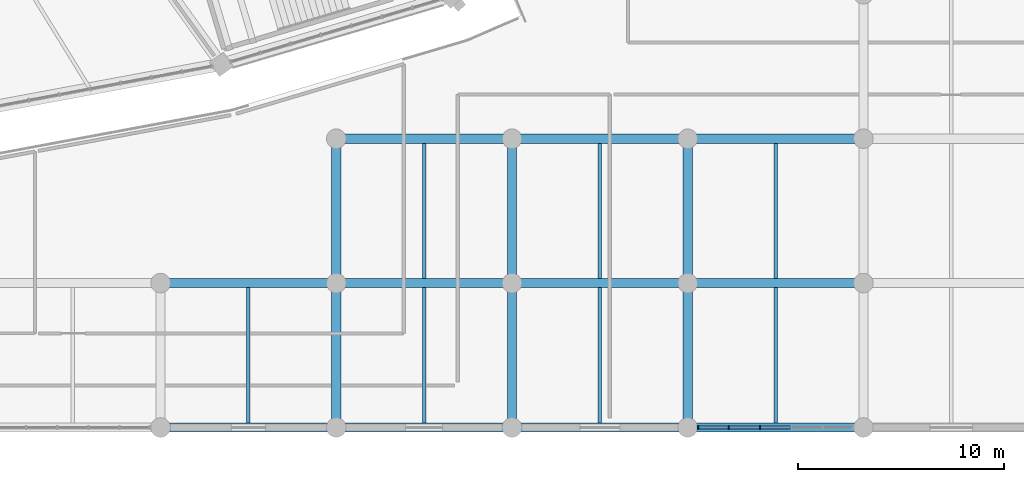
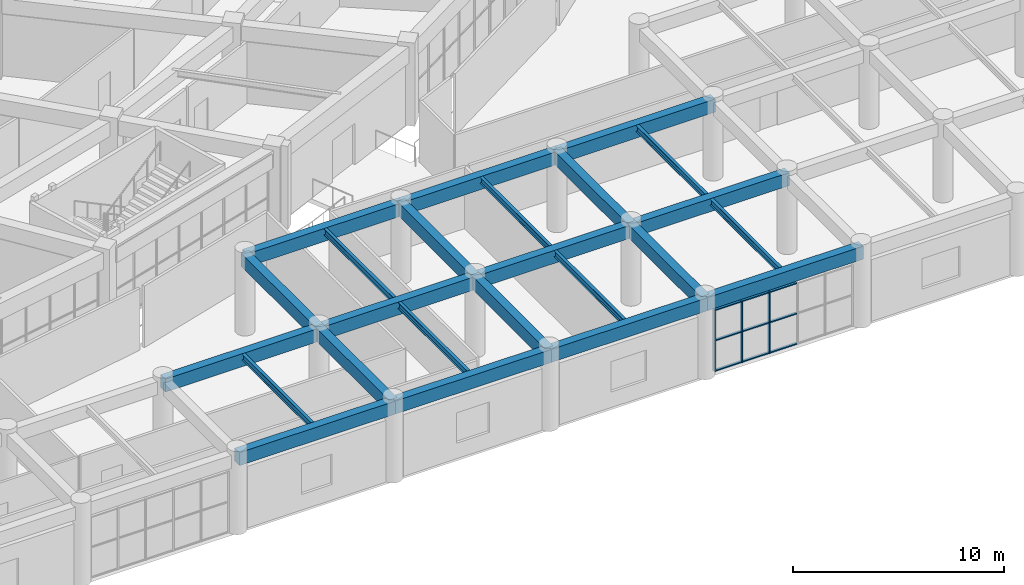
# One storey, part 37 of 152: 24 beams, 12 members, 1 element without a shape of its own.
"""IFC4 building model written with IfcOpenShell, lengths in metres."""

from ifc_helpers import new_model, si_unit, direction, frame, origin, origin_2d, place, context, subcontext, project, spatial, rectangle, i_section, extrude, material, layer, layer_set, material_profile, profile_set, type_object, element, aggregate, save


model = new_model("IFC4")

# Units and contexts
model_context = context("Model", 3, precision=1e-05, world=origin(), true_north=direction((0.0, 1.0)))
body_context = subcontext(model_context, "Body", "Model", "MODEL_VIEW")
ifc_project = project(units=[si_unit("LENGTHUNIT", "METRE"), si_unit("AREAUNIT", "SQUARE_METRE"), si_unit("VOLUMEUNIT", "CUBIC_METRE"), si_unit("PLANEANGLEUNIT", "RADIAN"), si_unit("MASSUNIT", "GRAM", prefix="KILO")], contexts=[model_context])

# Site, building, storey
site_placement = place(None, origin())
site = spatial("IfcSite", under=ifc_project, at=site_placement, CompositionType="ELEMENT")
building_placement = place(site_placement, origin())
building = spatial("IfcBuilding", under=site, at=building_placement, Name="Mphavela Belvedere Stadium", CompositionType="ELEMENT")
storey_placement = place(building_placement, frame((0.0, 0.0, 5.39990234375)))
storey = spatial("IfcBuildingStorey", under=building, at=storey_placement, Name="L01", CompositionType="ELEMENT", Elevation=5.39990234375)

# Beams
ifc_material_1 = material(Name="Steel S355", Category="steel")
ifc_material_profile_1 = material_profile(ifc_material_1, i_section(OverallWidth=0.169921875, OverallDepth=0.360107421875, WebThickness=0.008056640625, FlangeThickness=0.0126953125, at=origin_2d()), Name="IPE 360")
ifc_profile_set_1 = profile_set([ifc_material_profile_1], Name="Steel S355")
beam_type_1 = type_object("IfcBeamType", Name="BM-JOIST-IPE360", PredefinedType="JOIST", material=ifc_profile_set_1)
for number, where, z_axis, x_axis, name in (
    (1, (166.111083984375, 0.22509765625, 4.360107421875), (0.0, 1.0, 0.0), (-1.0, 0.0, 0.0), "South Axial Triumphal Peristyle Portico secondary joist L01 20-1"),
    (2, (174.62939453125, 0.22509765625, 4.360107421875), (0.0, 1.0, 0.0), (-1.0, 0.0, 0.0), "South Axial Triumphal Peristyle Portico secondary joist L01 21-1"),
    (3, (174.62939453125, 7.22509765625, 4.360107421875), (0.0, 1.0, 0.0), (-1.0, 0.0, 0.0), "South Axial Triumphal Peristyle Portico secondary joist L01 21-2"),
    (4, (183.14794921875, 0.22509765625, 4.360107421875), (0.0, 1.0, 0.0), (-1.0, 0.0, 0.0), "South Axial Triumphal Peristyle Portico secondary joist L01 22-1"),
    (5, (183.14794921875, 7.22509765625, 4.360107421875), (0.0, 1.0, 0.0), (-1.0, 0.0, 0.0), "South Axial Triumphal Peristyle Portico secondary joist L01 22-2"),
    (6, (191.66650390625, 0.22509765625, 4.360107421875), (0.0, 1.0, 0.0), (-1.0, 0.0, 0.0), "South Axial Triumphal Peristyle Portico secondary joist L01 23-1"),
    (7, (191.66650390625, 7.22509765625, 4.360107421875), (0.0, 1.0, 0.0), (-1.0, 0.0, 0.0), "South Axial Triumphal Peristyle Portico secondary joist L01 23-2"),
):
    element("IfcBeam", number, at=place(storey_placement, frame(where, z_axis=z_axis, x_axis=x_axis)), inside=storey, type_object=beam_type_1, Name=name, PredefinedType="JOIST", context=body_context, shape_type="SweptSolid", body=[
        extrude(i_section(OverallWidth=0.169921875, OverallDepth=0.360107421875, WebThickness=0.008056640625, FlangeThickness=0.0126953125, at=origin_2d()), origin(), (0.0, 0.0, 1.0), 6.5498046875),
    ])
ifc_material_2 = material(Name="Concrete C40/50", Category="concrete")
ifc_material_profile_2 = material_profile(ifc_material_2, rectangle(XDim=0.449951171875, YDim=0.75, at=origin_2d()), Name="RC 450x750")
ifc_profile_set_2 = profile_set([ifc_material_profile_2], Name="Concrete C40/50")
beam_type_2 = type_object("IfcBeamType", Name="BM-RC450x750", PredefinedType="BEAM", material=ifc_profile_set_2)
for number, where, z_axis, x_axis, name in (
    (8, (161.85205078125, 0.0, 4.1650390625), (1.0, 0.0, 0.0), (0.0, 1.0, 0.0), "South Axial Triumphal Peristyle Portico entablature beam X L01 20-1"),
    (9, (161.85205078125, 7.0, 4.1650390625), (1.0, 0.0, 0.0), (0.0, 1.0, 0.0), "South Axial Triumphal Peristyle Portico entablature beam X L01 20-2"),
):
    element("IfcBeam", number, at=place(storey_placement, frame(where, z_axis=z_axis, x_axis=x_axis)), inside=storey, type_object=beam_type_2, Name=name, PredefinedType="BEAM", context=body_context, shape_type="SweptSolid", body=[
        extrude(rectangle(XDim=0.449951171875, YDim=0.75, at=origin_2d()), origin(), (0.0, 0.0, 1.0), 8.51806640625),
    ])
beam_1_placement = place(storey_placement, frame((170.3701171875, 0.0, 4.1650390625), z_axis=(1.0, 0.0, 0.0), x_axis=(0.0, 1.0, 0.0)))
element("IfcBeam", 10, at=beam_1_placement, inside=storey, type_object=beam_type_2, Name="South Axial Triumphal Peristyle Portico entablature beam X L01 21-1", PredefinedType="BEAM", context=body_context, shape_type="SweptSolid", body=[
    extrude(rectangle(XDim=0.449951171875, YDim=0.75, at=origin_2d()), origin(), (0.0, 0.0, 1.0), 8.518798828125),
])
beam_2_placement = place(storey_placement, frame((170.3701171875, 0.0, 4.1650390625), z_axis=(0.0, 1.0, 0.0), x_axis=(-1.0, 0.0, 0.0)))
element("IfcBeam", 11, at=beam_2_placement, inside=storey, type_object=beam_type_2, Name="South Axial Triumphal Peristyle Portico entablature beam Y L01 21-1", PredefinedType="BEAM", context=body_context, shape_type="SweptSolid", body=[
    extrude(rectangle(XDim=0.449951171875, YDim=0.75, at=origin_2d()), origin(), (0.0, 0.0, 1.0), 7.0),
])
beam_3_placement = place(storey_placement, frame((170.3701171875, 7.0, 4.1650390625), z_axis=(1.0, 0.0, 0.0), x_axis=(0.0, 1.0, 0.0)))
element("IfcBeam", 12, at=beam_3_placement, inside=storey, type_object=beam_type_2, Name="South Axial Triumphal Peristyle Portico entablature beam X L01 21-2", PredefinedType="BEAM", context=body_context, shape_type="SweptSolid", body=[
    extrude(rectangle(XDim=0.449951171875, YDim=0.75, at=origin_2d()), origin(), (0.0, 0.0, 1.0), 8.518798828125),
])
beam_4_placement = place(storey_placement, frame((170.3701171875, 7.0, 4.1650390625), z_axis=(0.0, 1.0, 0.0), x_axis=(-1.0, 0.0, 0.0)))
element("IfcBeam", 13, at=beam_4_placement, inside=storey, type_object=beam_type_2, Name="South Axial Triumphal Peristyle Portico entablature beam Y L01 21-2", PredefinedType="BEAM", context=body_context, shape_type="SweptSolid", body=[
    extrude(rectangle(XDim=0.449951171875, YDim=0.75, at=origin_2d()), origin(), (0.0, 0.0, 1.0), 7.0),
])
beam_5_placement = place(storey_placement, frame((170.3701171875, 14.0, 4.1650390625), z_axis=(1.0, 0.0, 0.0), x_axis=(0.0, 1.0, 0.0)))
element("IfcBeam", 14, at=beam_5_placement, inside=storey, type_object=beam_type_2, Name="South Axial Triumphal Peristyle Portico entablature beam X L01 21-3", PredefinedType="BEAM", context=body_context, shape_type="SweptSolid", body=[
    extrude(rectangle(XDim=0.449951171875, YDim=0.75, at=origin_2d()), origin(), (0.0, 0.0, 1.0), 8.518798828125),
])
beam_6_placement = place(storey_placement, frame((178.888916015625, 0.0, 4.1650390625), z_axis=(1.0, 0.0, 0.0), x_axis=(0.0, 1.0, 0.0)))
element("IfcBeam", 15, at=beam_6_placement, inside=storey, type_object=beam_type_2, Name="South Axial Triumphal Peristyle Portico entablature beam X L01 22-1", PredefinedType="BEAM", context=body_context, shape_type="SweptSolid", body=[
    extrude(rectangle(XDim=0.449951171875, YDim=0.75, at=origin_2d()), origin(), (0.0, 0.0, 1.0), 8.51806640625),
])
beam_7_placement = place(storey_placement, frame((178.888916015625, 0.0, 4.1650390625), z_axis=(0.0, 1.0, 0.0), x_axis=(-1.0, 0.0, 0.0)))
element("IfcBeam", 16, at=beam_7_placement, inside=storey, type_object=beam_type_2, Name="South Axial Triumphal Peristyle Portico entablature beam Y L01 22-1", PredefinedType="BEAM", context=body_context, shape_type="SweptSolid", body=[
    extrude(rectangle(XDim=0.449951171875, YDim=0.75, at=origin_2d()), origin(), (0.0, 0.0, 1.0), 7.0),
])
beam_8_placement = place(storey_placement, frame((178.888916015625, 7.0, 4.1650390625), z_axis=(1.0, 0.0, 0.0), x_axis=(0.0, 1.0, 0.0)))
element("IfcBeam", 17, at=beam_8_placement, inside=storey, type_object=beam_type_2, Name="South Axial Triumphal Peristyle Portico entablature beam X L01 22-2", PredefinedType="BEAM", context=body_context, shape_type="SweptSolid", body=[
    extrude(rectangle(XDim=0.449951171875, YDim=0.75, at=origin_2d()), origin(), (0.0, 0.0, 1.0), 8.51806640625),
])
beam_9_placement = place(storey_placement, frame((178.888916015625, 7.0, 4.1650390625), z_axis=(0.0, 1.0, 0.0), x_axis=(-1.0, 0.0, 0.0)))
element("IfcBeam", 18, at=beam_9_placement, inside=storey, type_object=beam_type_2, Name="South Axial Triumphal Peristyle Portico entablature beam Y L01 22-2", PredefinedType="BEAM", context=body_context, shape_type="SweptSolid", body=[
    extrude(rectangle(XDim=0.449951171875, YDim=0.75, at=origin_2d()), origin(), (0.0, 0.0, 1.0), 7.0),
])
beam_10_placement = place(storey_placement, frame((178.888916015625, 14.0, 4.1650390625), z_axis=(1.0, 0.0, 0.0), x_axis=(0.0, 1.0, 0.0)))
element("IfcBeam", 19, at=beam_10_placement, inside=storey, type_object=beam_type_2, Name="South Axial Triumphal Peristyle Portico entablature beam X L01 22-3", PredefinedType="BEAM", context=body_context, shape_type="SweptSolid", body=[
    extrude(rectangle(XDim=0.449951171875, YDim=0.75, at=origin_2d()), origin(), (0.0, 0.0, 1.0), 8.51806640625),
])
beam_11_placement = place(storey_placement, frame((187.406982421875, 0.0, 4.1650390625), z_axis=(1.0, 0.0, 0.0), x_axis=(0.0, 1.0, 0.0)))
element("IfcBeam", 20, at=beam_11_placement, inside=storey, type_object=beam_type_2, Name="South Axial Triumphal Peristyle Portico entablature beam X L01 23-1", PredefinedType="BEAM", context=body_context, shape_type="SweptSolid", body=[
    extrude(rectangle(XDim=0.449951171875, YDim=0.75, at=origin_2d()), origin(), (0.0, 0.0, 1.0), 8.51904296875),
])
beam_12_placement = place(storey_placement, frame((187.406982421875, 0.0, 4.1650390625), z_axis=(0.0, 1.0, 0.0), x_axis=(-1.0, 0.0, 0.0)))
element("IfcBeam", 21, at=beam_12_placement, inside=storey, type_object=beam_type_2, Name="South Axial Triumphal Peristyle Portico entablature beam Y L01 23-1", PredefinedType="BEAM", context=body_context, shape_type="SweptSolid", body=[
    extrude(rectangle(XDim=0.449951171875, YDim=0.75, at=origin_2d()), origin(), (0.0, 0.0, 1.0), 7.0),
])
beam_13_placement = place(storey_placement, frame((187.406982421875, 7.0, 4.1650390625), z_axis=(1.0, 0.0, 0.0), x_axis=(0.0, 1.0, 0.0)))
element("IfcBeam", 22, at=beam_13_placement, inside=storey, type_object=beam_type_2, Name="South Axial Triumphal Peristyle Portico entablature beam X L01 23-2", PredefinedType="BEAM", context=body_context, shape_type="SweptSolid", body=[
    extrude(rectangle(XDim=0.449951171875, YDim=0.75, at=origin_2d()), origin(), (0.0, 0.0, 1.0), 8.51904296875),
])
beam_14_placement = place(storey_placement, frame((187.406982421875, 7.0, 4.1650390625), z_axis=(0.0, 1.0, 0.0), x_axis=(-1.0, 0.0, 0.0)))
element("IfcBeam", 23, at=beam_14_placement, inside=storey, type_object=beam_type_2, Name="South Axial Triumphal Peristyle Portico entablature beam Y L01 23-2", PredefinedType="BEAM", context=body_context, shape_type="SweptSolid", body=[
    extrude(rectangle(XDim=0.449951171875, YDim=0.75, at=origin_2d()), origin(), (0.0, 0.0, 1.0), 7.0),
])
beam_15_placement = place(storey_placement, frame((187.406982421875, 14.0, 4.1650390625), z_axis=(1.0, 0.0, 0.0), x_axis=(0.0, 1.0, 0.0)))
element("IfcBeam", 24, at=beam_15_placement, inside=storey, type_object=beam_type_2, Name="South Axial Triumphal Peristyle Portico entablature beam X L01 23-3", PredefinedType="BEAM", context=body_context, shape_type="SweptSolid", body=[
    extrude(rectangle(XDim=0.449951171875, YDim=0.75, at=origin_2d()), origin(), (0.0, 0.0, 1.0), 8.51904296875),
])

# Curtain wall, members
ifc_material_3 = material(Name="Anodised bronze unitised curtain wall framing")
ifc_layer = layer(ifc_material_3, 0.205078125)
ifc_layer_set = layer_set([ifc_layer], Name="Anodised bronze unitised curtain wall framing")
curtain_wall_type = type_object("IfcCurtainWallType", Name="CW-UNIT-06", PredefinedType="USERDEFINED", material=ifc_layer_set)
curtain_wall_placement = place(storey_placement, origin())
curtain_wall = element("IfcCurtainWall", 25, at=curtain_wall_placement, inside=storey, type_object=curtain_wall_type, Name="South Axial Triumphal Peristyle Portico gallery curtain wall L01-23", ObjectType="UNITISED CURTAIN WALL", PredefinedType="USERDEFINED")
ifc_material_4 = material(Name="Anodised bronze extruded aluminium", Category="aluminium")
ifc_material_profile_3 = material_profile(ifc_material_4, rectangle(XDim=0.179931640625, YDim=0.06494140625, at=origin_2d()), Name="CW-MUL 180x65")
ifc_profile_set_3 = profile_set([ifc_material_profile_3], Name="Anodised bronze extruded aluminium")
member_type_1 = type_object("IfcMemberType", Name="CWM-180x65", PredefinedType="MULLION", material=ifc_profile_set_3)
member_1_placement = place(storey_placement, frame((190.9091796875, 0.0, 0.0), z_axis=(0.0, 0.0, 1.0), x_axis=(0.0, -1.0, 0.0)))
member_1 = element("IfcMember", 26, at=member_1_placement, type_object=member_type_1, Name="CW-06 mullion 4", PredefinedType="MULLION", context=body_context, shape_type="SweptSolid", body=[
    extrude(rectangle(XDim=0.179931640625, YDim=0.06494140625, at=origin_2d()), origin(), (0.0, 0.0, 1.0), 3.56005859375),
])
member_2_placement = place(storey_placement, frame((189.39453125, 0.0, 0.0), z_axis=(0.0, 0.0, 1.0), x_axis=(0.0, -1.0, 0.0)))
member_2 = element("IfcMember", 27, at=member_2_placement, type_object=member_type_1, Name="CW-06 mullion 5", PredefinedType="MULLION", context=body_context, shape_type="SweptSolid", body=[
    extrude(rectangle(XDim=0.179931640625, YDim=0.06494140625, at=origin_2d()), origin(), (0.0, 0.0, 1.0), 3.56005859375),
])
member_3_placement = place(storey_placement, frame((187.91259765625, 0.0, 0.0), z_axis=(0.0, 0.0, 1.0), x_axis=(0.0, -1.0, 0.0)))
member_3 = element("IfcMember", 28, at=member_3_placement, type_object=member_type_1, Name="CW-06 mullion 6", PredefinedType="MULLION", context=body_context, shape_type="SweptSolid", body=[
    extrude(rectangle(XDim=0.179931640625, YDim=0.06494140625, at=origin_2d()), origin(), (0.0, 0.0, 1.0), 3.56005859375),
])
ifc_material_5 = material(Name="Anodised bronze extruded aluminium", Category="aluminium")
ifc_material_profile_4 = material_profile(ifc_material_5, rectangle(XDim=0.139892578125, YDim=0.06005859375, at=origin_2d()), Name="CW-TRN 140x60")
ifc_profile_set_4 = profile_set([ifc_material_profile_4], Name="Anodised bronze extruded aluminium")
member_type_2 = type_object("IfcMemberType", Name="CWT-140x60", PredefinedType="USERDEFINED", material=ifc_profile_set_4)
member_4_placement = place(storey_placement, frame((192.391357421875, 0.0, 0.030029296875), z_axis=(-1.0, 0.0, 0.0), x_axis=(0.0, -1.0, 0.0)))
member_4 = element("IfcMember", 29, at=member_4_placement, type_object=member_type_2, Name="CW-06 transom 3.1", ObjectType="TRANSOM", PredefinedType="USERDEFINED", context=body_context, shape_type="SweptSolid", body=[
    extrude(rectangle(XDim=0.139892578125, YDim=0.06005859375, at=origin_2d()), origin(), (0.0, 0.0, 1.0), 1.44970703125),
])
member_5_placement = place(storey_placement, frame((192.391357421875, 0.0, 1.780029296875), z_axis=(-1.0, 0.0, 0.0), x_axis=(0.0, -1.0, 0.0)))
member_5 = element("IfcMember", 30, at=member_5_placement, type_object=member_type_2, Name="CW-06 transom 3.2", ObjectType="TRANSOM", PredefinedType="USERDEFINED", context=body_context, shape_type="SweptSolid", body=[
    extrude(rectangle(XDim=0.139892578125, YDim=0.06005859375, at=origin_2d()), origin(), (0.0, 0.0, 1.0), 1.44970703125),
])
member_6_placement = place(storey_placement, frame((192.391357421875, 0.0, 3.530029296875), z_axis=(-1.0, 0.0, 0.0), x_axis=(0.0, -1.0, 0.0)))
member_6 = element("IfcMember", 31, at=member_6_placement, type_object=member_type_2, Name="CW-06 transom 3.3", ObjectType="TRANSOM", PredefinedType="USERDEFINED", context=body_context, shape_type="SweptSolid", body=[
    extrude(rectangle(XDim=0.139892578125, YDim=0.06005859375, at=origin_2d()), origin(), (0.0, 0.0, 1.0), 1.44970703125),
])
member_7_placement = place(storey_placement, frame((190.876708984375, 0.0, 0.030029296875), z_axis=(-1.0, 0.0, 0.0), x_axis=(0.0, -1.0, 0.0)))
member_7 = element("IfcMember", 32, at=member_7_placement, type_object=member_type_2, Name="CW-06 transom 4.1", ObjectType="TRANSOM", PredefinedType="USERDEFINED", context=body_context, shape_type="SweptSolid", body=[
    extrude(rectangle(XDim=0.139892578125, YDim=0.06005859375, at=origin_2d()), origin(), (0.0, 0.0, 1.0), 1.44970703125),
])
member_8_placement = place(storey_placement, frame((190.876708984375, 0.0, 1.780029296875), z_axis=(-1.0, 0.0, 0.0), x_axis=(0.0, -1.0, 0.0)))
member_8 = element("IfcMember", 33, at=member_8_placement, type_object=member_type_2, Name="CW-06 transom 4.2", ObjectType="TRANSOM", PredefinedType="USERDEFINED", context=body_context, shape_type="SweptSolid", body=[
    extrude(rectangle(XDim=0.139892578125, YDim=0.06005859375, at=origin_2d()), origin(), (0.0, 0.0, 1.0), 1.44970703125),
])
member_9_placement = place(storey_placement, frame((190.876708984375, 0.0, 3.530029296875), z_axis=(-1.0, 0.0, 0.0), x_axis=(0.0, -1.0, 0.0)))
member_9 = element("IfcMember", 34, at=member_9_placement, type_object=member_type_2, Name="CW-06 transom 4.3", ObjectType="TRANSOM", PredefinedType="USERDEFINED", context=body_context, shape_type="SweptSolid", body=[
    extrude(rectangle(XDim=0.139892578125, YDim=0.06005859375, at=origin_2d()), origin(), (0.0, 0.0, 1.0), 1.44970703125),
])
member_10_placement = place(storey_placement, frame((189.362060546875, 0.0, 0.030029296875), z_axis=(-1.0, 0.0, 0.0), x_axis=(0.0, -1.0, 0.0)))
member_10 = element("IfcMember", 35, at=member_10_placement, type_object=member_type_2, Name="CW-06 transom 5.1", ObjectType="TRANSOM", PredefinedType="USERDEFINED", context=body_context, shape_type="SweptSolid", body=[
    extrude(rectangle(XDim=0.139892578125, YDim=0.06005859375, at=origin_2d()), origin(), (0.0, 0.0, 1.0), 1.4169921875),
])
member_11_placement = place(storey_placement, frame((189.362060546875, 0.0, 1.780029296875), z_axis=(-1.0, 0.0, 0.0), x_axis=(0.0, -1.0, 0.0)))
member_11 = element("IfcMember", 36, at=member_11_placement, type_object=member_type_2, Name="CW-06 transom 5.2", ObjectType="TRANSOM", PredefinedType="USERDEFINED", context=body_context, shape_type="SweptSolid", body=[
    extrude(rectangle(XDim=0.139892578125, YDim=0.06005859375, at=origin_2d()), origin(), (0.0, 0.0, 1.0), 1.4169921875),
])
member_12_placement = place(storey_placement, frame((189.362060546875, 0.0, 3.530029296875), z_axis=(-1.0, 0.0, 0.0), x_axis=(0.0, -1.0, 0.0)))
member_12 = element("IfcMember", 37, at=member_12_placement, type_object=member_type_2, Name="CW-06 transom 5.3", ObjectType="TRANSOM", PredefinedType="USERDEFINED", context=body_context, shape_type="SweptSolid", body=[
    extrude(rectangle(XDim=0.139892578125, YDim=0.06005859375, at=origin_2d()), origin(), (0.0, 0.0, 1.0), 1.4169921875),
])
aggregate(curtain_wall, [member_1, member_2, member_3, member_4, member_5, member_6, member_7, member_8, member_9, member_10, member_11, member_12])

save(model, "model.ifc")
